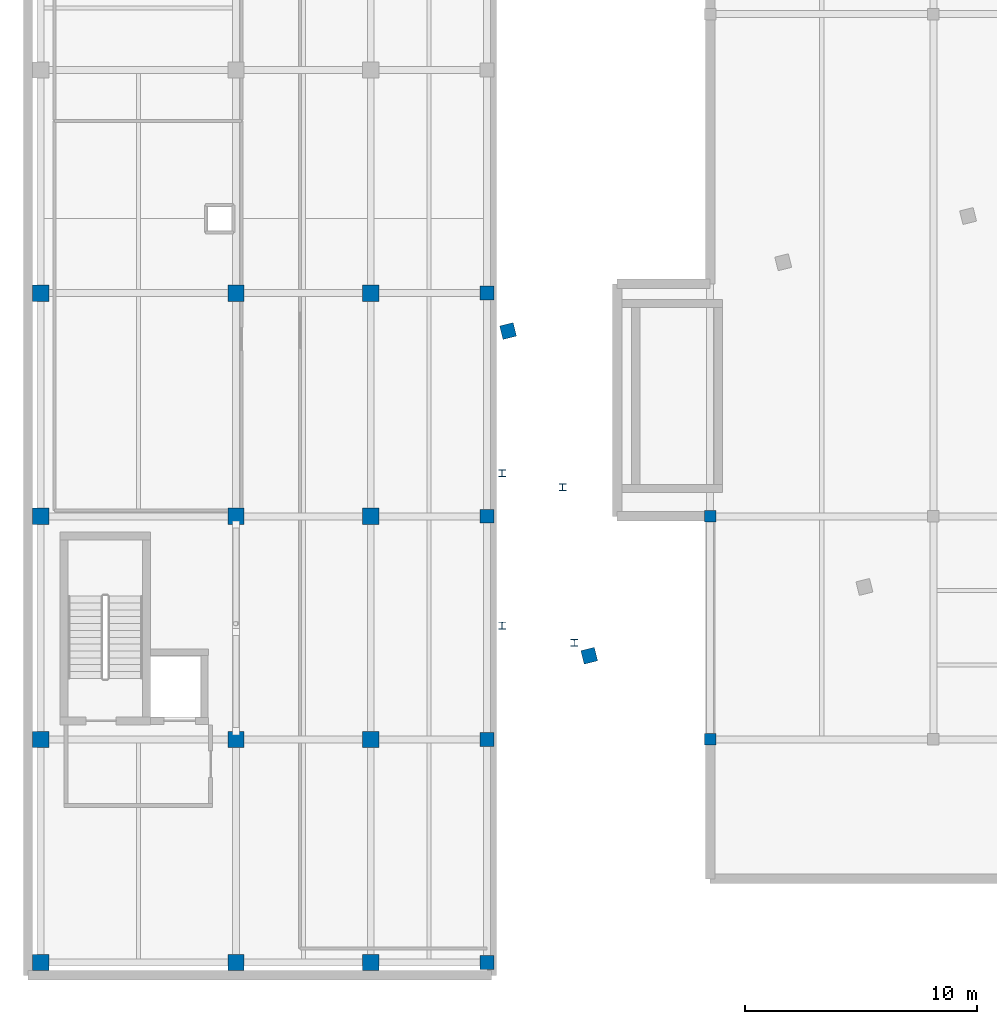
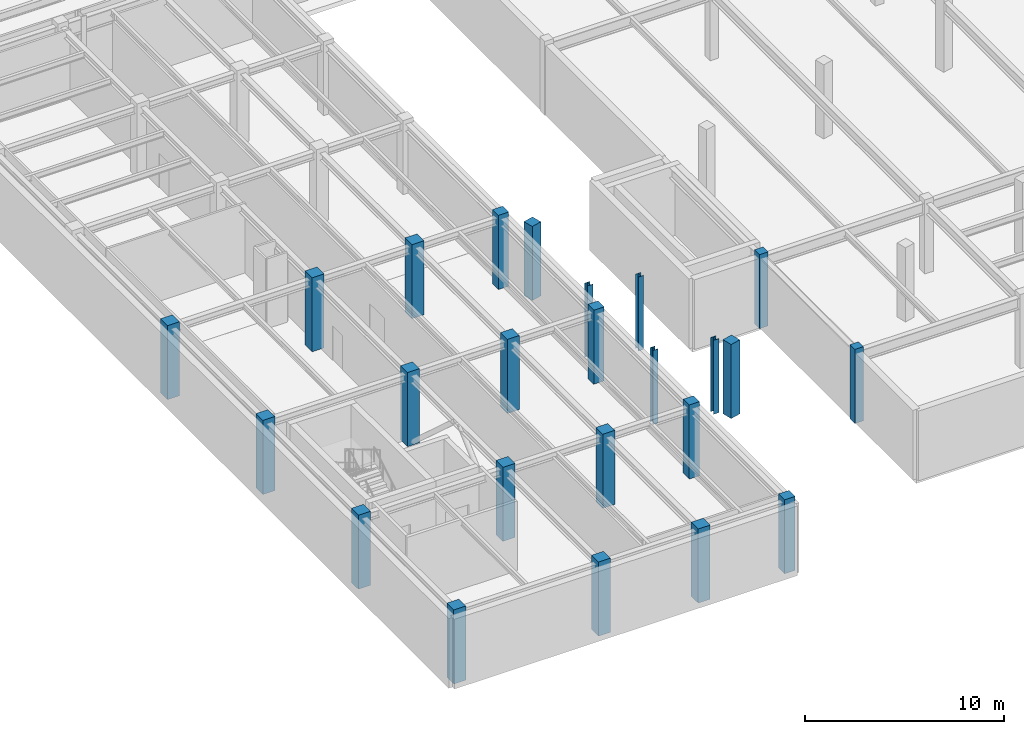
# One storey, part 1 of 32: 24 columns.
"""IFC4 building model written with IfcOpenShell, lengths in metres."""

from ifc_helpers import new_model, si_unit, direction, frame, origin, origin_2d, place, context, subcontext, project, spatial, rectangle, i_section, extrude, material, material_profile, profile_set, type_object, element, save


model = new_model("IFC4")

# Units and contexts
model_context = context("Model", 3, precision=1e-05, world=origin(), true_north=direction((0.0, 1.0)))
body_context = subcontext(model_context, "Body", "Model", "MODEL_VIEW")
ifc_project = project(units=[si_unit("LENGTHUNIT", "METRE"), si_unit("AREAUNIT", "SQUARE_METRE"), si_unit("VOLUMEUNIT", "CUBIC_METRE"), si_unit("PLANEANGLEUNIT", "RADIAN"), si_unit("MASSUNIT", "GRAM", prefix="KILO")], contexts=[model_context])

# Site, building, storey
site_placement = place(None, origin())
site = spatial("IfcSite", under=ifc_project, at=site_placement, CompositionType="ELEMENT")
building_placement = place(site_placement, origin())
building = spatial("IfcBuilding", under=site, at=building_placement, Name="Nordkorset Police Headquarters", CompositionType="ELEMENT")
storey_placement = place(building_placement, frame((0.0, 0.0, -4.550048828125)))
storey = spatial("IfcBuildingStorey", under=building, at=storey_placement, Name="B01", CompositionType="ELEMENT", Elevation=-4.550048828125)

# Columns
ifc_material_1 = material(Name="Steel S355J2", Category="steel")
ifc_material_profile_1 = material_profile(ifc_material_1, i_section(OverallWidth=0.300048828125, OverallDepth=0.300048828125, WebThickness=0.010986328125, FlangeThickness=0.01904296875, FilletRadius=0.027099609375, at=origin_2d()), Name="HEB 300")
ifc_profile_set_1 = profile_set([ifc_material_profile_1], Name="Steel S355J2")
column_type_1 = type_object("IfcColumnType", Name="Col_HEB_300", PredefinedType="COLUMN", material=ifc_profile_set_1)
for number, where, z_axis, x_axis, name in (
    (1, (19.85009765625, 49.85009765625, 0.0), (0.0, 0.0, 1.0), (1.0, 0.0, 0.0), "Courtyard Link Bridge Column BRG_W_N B01"),
    (2, (19.85009765625, 43.300048828125, 0.0), (0.0, 0.0, 1.0), (1.0, 0.0, 0.0), "Courtyard Link Bridge Column BRG_W_S B01"),
    (3, (22.449951171875, 49.25, 0.0), (0.0, 0.0, 1.0), (1.0, 0.0, 0.0), "Courtyard Link Bridge Column BRG_W_E1 B01"),
    (4, (22.949951171875, 42.550048828125, 0.0), (0.0, 0.0, 1.0), (1.0, 0.0, 0.0), "Courtyard Link Bridge Column BRG_W_E2 B01"),
):
    element("IfcColumn", number, at=place(storey_placement, frame(where, z_axis=z_axis, x_axis=x_axis)), inside=storey, type_object=column_type_1, Name=name, PredefinedType="COLUMN", context=body_context, shape_type="SweptSolid", body=[
        extrude(i_section(OverallWidth=0.300048828125, OverallDepth=0.300048828125, WebThickness=0.010986328125, FlangeThickness=0.01904296875, FilletRadius=0.027099609375, at=origin_2d()), origin(), (0.0, 0.0, 1.0), 4.550048828125),
    ])
ifc_material_2 = material(Name="Concrete C45/55", Category="concrete")
ifc_material_profile_2 = material_profile(ifc_material_2, rectangle(XDim=0.5, YDim=0.5, at=origin_2d()), Name="RC 500x500")
ifc_profile_set_2 = profile_set([ifc_material_profile_2], Name="Concrete C45/55")
column_type_2 = type_object("IfcColumnType", Name="Col_RC_500x500", PredefinedType="COLUMN", material=ifc_profile_set_2)
for number, where, z_axis, x_axis, name in (
    (5, (28.800048828125, 38.39990234375, 0.0), (0.0, 0.0, 1.0), (1.0, 0.0, 0.0), "Structural Column SUB_C_0_0 B01"),
    (6, (28.800048828125, 48.0, 0.0), (0.0, 0.0, 1.0), (1.0, 0.0, 0.0), "Structural Column SUB_C_0_1 B01"),
):
    element("IfcColumn", number, at=place(storey_placement, frame(where, z_axis=z_axis, x_axis=x_axis)), inside=storey, type_object=column_type_2, Name=name, PredefinedType="COLUMN", context=body_context, shape_type="SweptSolid", body=[
        extrude(rectangle(XDim=0.5, YDim=0.5, at=origin_2d()), origin(), (0.0, 0.0, 1.0), 4.550048828125),
    ])
ifc_material_3 = material(Name="Concrete C45/55", Category="concrete")
ifc_material_profile_3 = material_profile(ifc_material_3, rectangle(XDim=0.60009765625, YDim=0.60009765625, at=origin_2d()), Name="RC 600x600")
ifc_profile_set_3 = profile_set([ifc_material_profile_3], Name="Concrete C45/55")
column_type_3 = type_object("IfcColumnType", Name="Col_RC_600x600", PredefinedType="COLUMN", material=ifc_profile_set_3)
for number, where, z_axis, x_axis, name in (
    (7, (19.199951171875, 28.800048828125, 0.0), (0.0, 0.0, 1.0), (1.0, 0.0, 0.0), "Structural Column V3_X3_0 B01"),
    (8, (19.199951171875, 38.39990234375, 0.0), (0.0, 0.0, 1.0), (1.0, 0.0, 0.0), "Structural Column V3_X3_1 B01"),
    (9, (19.199951171875, 48.0, 0.0), (0.0, 0.0, 1.0), (1.0, 0.0, 0.0), "Structural Column V3_X3_2 B01"),
    (10, (19.199951171875, 57.60009765625, 0.0), (0.0, 0.0, 1.0), (1.0, 0.0, 0.0), "Structural Column V3_X3_3 B01"),
    (11, (23.60009765625, 42.0, 0.0), (0.0, 0.0, 1.0), (0.970142500145, 0.242535625038, 0.0), "Structural Column V4_U0_V0 B01"),
    (12, (20.107421875, 55.969970703125, 0.0), (0.0, 0.0, 1.0), (0.970142500145, 0.242535625038, 0.0), "Structural Column V4_U0_V1 B01"),
):
    element("IfcColumn", number, at=place(storey_placement, frame(where, z_axis=z_axis, x_axis=x_axis)), inside=storey, type_object=column_type_3, Name=name, PredefinedType="COLUMN", context=body_context, shape_type="SweptSolid", body=[
        extrude(rectangle(XDim=0.60009765625, YDim=0.60009765625, at=origin_2d()), origin(), (0.0, 0.0, 1.0), 4.550048828125),
    ])
ifc_material_4 = material(Name="Concrete C45/55", Category="concrete")
ifc_material_profile_4 = material_profile(ifc_material_4, rectangle(XDim=0.699951171875, YDim=0.699951171875, at=origin_2d()), Name="RC 700x700")
ifc_profile_set_4 = profile_set([ifc_material_profile_4], Name="Concrete C45/55")
column_type_4 = type_object("IfcColumnType", Name="Col_RC_700x700", PredefinedType="COLUMN", material=ifc_profile_set_4)
for number, where, z_axis, x_axis, name in (
    (13, (0.0, 28.800048828125, 0.0), (0.0, 0.0, 1.0), (1.0, 0.0, 0.0), "Structural Column V3_X0_0 B01"),
    (14, (8.39990234375, 28.800048828125, 0.0), (0.0, 0.0, 1.0), (1.0, 0.0, 0.0), "Structural Column V3_X1_0 B01"),
    (15, (14.199951171875, 28.800048828125, 0.0), (0.0, 0.0, 1.0), (1.0, 0.0, 0.0), "Structural Column V3_X2_0 B01"),
    (16, (0.0, 38.39990234375, 0.0), (0.0, 0.0, 1.0), (1.0, 0.0, 0.0), "Structural Column V3_X0_1 B01"),
    (17, (8.39990234375, 38.39990234375, 0.0), (0.0, 0.0, 1.0), (1.0, 0.0, 0.0), "Structural Column V3_X1_1 B01"),
    (18, (14.199951171875, 38.39990234375, 0.0), (0.0, 0.0, 1.0), (1.0, 0.0, 0.0), "Structural Column V3_X2_1 B01"),
    (19, (0.0, 48.0, 0.0), (0.0, 0.0, 1.0), (1.0, 0.0, 0.0), "Structural Column V3_X0_2 B01"),
    (20, (8.39990234375, 48.0, 0.0), (0.0, 0.0, 1.0), (1.0, 0.0, 0.0), "Structural Column V3_X1_2 B01"),
    (21, (14.199951171875, 48.0, 0.0), (0.0, 0.0, 1.0), (1.0, 0.0, 0.0), "Structural Column V3_X2_2 B01"),
    (22, (0.0, 57.60009765625, 0.0), (0.0, 0.0, 1.0), (1.0, 0.0, 0.0), "Structural Column V3_X0_3 B01"),
    (23, (8.39990234375, 57.60009765625, 0.0), (0.0, 0.0, 1.0), (1.0, 0.0, 0.0), "Structural Column V3_X1_3 B01"),
    (24, (14.199951171875, 57.60009765625, 0.0), (0.0, 0.0, 1.0), (1.0, 0.0, 0.0), "Structural Column V3_X2_3 B01"),
):
    element("IfcColumn", number, at=place(storey_placement, frame(where, z_axis=z_axis, x_axis=x_axis)), inside=storey, type_object=column_type_4, Name=name, PredefinedType="COLUMN", context=body_context, shape_type="SweptSolid", body=[
        extrude(rectangle(XDim=0.699951171875, YDim=0.699951171875, at=origin_2d()), origin(), (0.0, 0.0, 1.0), 4.550048828125),
    ])

save(model, "model.ifc")
